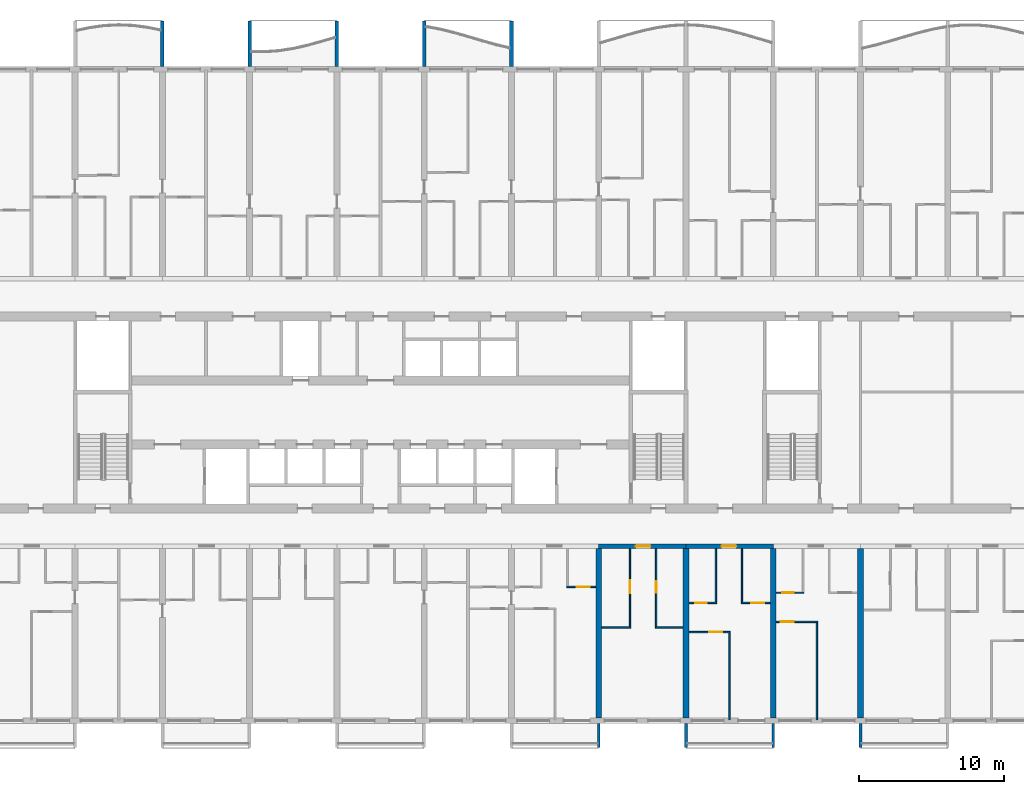
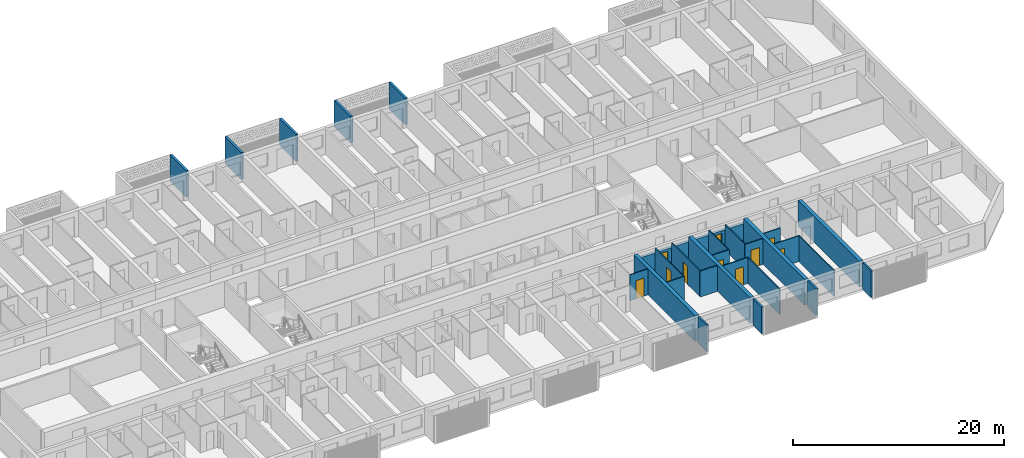
# One storey, part 14 of 38: 29 walls, 10 doors, 10 openings.
"""IFC4 building model written with IfcOpenShell, lengths in metres."""

from ifc_helpers import new_model, si_unit, direction, frame, frame_2d, origin, place, context, subcontext, project, spatial, polyline, rectangle, outline, extrude, source, transform, mapped, material, layer, layer_set, type_object, element, fill, save


model = new_model("IFC4")

# Units and contexts
model_context = context("Model", 3, precision=1e-05, world=origin(), true_north=direction((0.0, 1.0)))
body_context = subcontext(model_context, "Body", "Model", "MODEL_VIEW")
ifc_project = project(units=[si_unit("LENGTHUNIT", "METRE"), si_unit("AREAUNIT", "SQUARE_METRE"), si_unit("VOLUMEUNIT", "CUBIC_METRE"), si_unit("PLANEANGLEUNIT", "RADIAN"), si_unit("MASSUNIT", "GRAM", prefix="KILO")], contexts=[model_context])

# Site, building, storey
site_placement = place(None, origin())
site = spatial("IfcSite", under=ifc_project, at=site_placement, CompositionType="ELEMENT")
building_placement = place(site_placement, origin())
building = spatial("IfcBuilding", under=site, at=building_placement, Name="Poui Terraces", CompositionType="ELEMENT")
storey_placement = place(building_placement, frame((0.0, 0.0, 49.800048828125)))
storey = spatial("IfcBuildingStorey", under=building, at=storey_placement, Name="L13", CompositionType="ELEMENT", Elevation=49.800048828125)

# Wall, opening, door
ifc_material_1 = material(Name="Concrete 80 MPa", Category="concrete")
ifc_layer_1 = layer(ifc_material_1, 0.300048828125)
ifc_layer_set_1 = layer_set([ifc_layer_1], Name="Concrete 80 MPa")
wall_type_1 = type_object("IfcWallType", Name="CORRIDOR WALL 300 80MPa", PredefinedType="SHEAR", material=ifc_layer_set_1)
wall_1_placement = place(storey_placement, frame((66.0, 12.0, 0.0), z_axis=(0.0, 0.0, 1.0), x_axis=(1.0, 0.0, 0.0)))
wall_1 = element("IfcWall", 1, at=wall_1_placement, inside=storey, type_object=wall_type_1, Name="CORRIDOR WALL LINE B BAY 12", PredefinedType="SHEAR", context=body_context, shape_type="SweptSolid", body=[
    extrude(rectangle(XDim=6.0, YDim=0.300048828125, at=frame_2d((3.0, 0.0))), origin(), (0.0, 0.0, 1.0), 2.39990234375),
])
opening_1_placement = place(wall_1_placement, frame((2.550048828125, 0.0, 0.0)))
opening_1 = element("IfcOpeningElement", 2, at=opening_1_placement, cuts=wall_1, Name="Opening FD30S", PredefinedType="OPENING", context=body_context, shape_type="SweptSolid", body=[
    extrude(rectangle(XDim=1.0, YDim=2.10009765625, at=frame_2d((0.5, 1.050048828125))), frame((0.0, 0.16015625, 0.0), z_axis=(0.0, -1.0, 0.0), x_axis=(1.0, 0.0, 0.0)), (0.0, 0.0, 1.0), 0.320068359375),
])
ifc_material_2 = material(Name="Steel fire door", Category="steel")
door_type_1 = type_object("IfcDoorType", Name="FLAT ENTRANCE DOOR 1000 X 2100", OperationType="NOTDEFINED", PredefinedType="DOOR", material=ifc_material_2)
door_1_placement = place(opening_1_placement, frame((1.0, 0.0, 0.0), z_axis=(0.0, 0.0, 1.0), x_axis=(-1.0, 0.0, 0.0)))
door_1 = element("IfcDoor", 3, at=door_1_placement, inside=storey, type_object=door_type_1, Name="FLAT ENTRANCE DOOR 130", OperationType="SINGLE_SWING_LEFT", OverallHeight=2.10009765625, OverallWidth=1.0, PredefinedType="DOOR", context=body_context, shape_type="SweptSolid", body=[
    extrude(rectangle(XDim=1.0, YDim=2.10009765625, at=frame_2d((0.5, 1.050048828125))), frame((0.0, 0.02490234375, 0.0), z_axis=(0.0, -1.0, 0.0), x_axis=(1.0, 0.0, 0.0)), (0.0, 0.0, 1.0), 0.050048828125),
])
fill(opening_1, door_1)

wall_2_placement = place(storey_placement, frame((72.0, 12.0, 0.0), z_axis=(0.0, 0.0, 1.0), x_axis=(1.0, 0.0, 0.0)))
wall_2 = element("IfcWall", 4, at=wall_2_placement, inside=storey, type_object=wall_type_1, Name="CORRIDOR WALL LINE B BAY 13", PredefinedType="SHEAR", context=body_context, shape_type="SweptSolid", body=[
    extrude(rectangle(XDim=6.0, YDim=0.300048828125, at=frame_2d((3.0, 0.0))), origin(), (0.0, 0.0, 1.0), 2.39990234375),
])
opening_2_placement = place(wall_2_placement, frame((2.449951171875, 0.0, 0.0)))
opening_2 = element("IfcOpeningElement", 5, at=opening_2_placement, cuts=wall_2, Name="Opening FD30S", PredefinedType="OPENING", context=body_context, shape_type="SweptSolid", body=[
    extrude(rectangle(XDim=1.0, YDim=2.10009765625, at=frame_2d((0.5, 1.050048828125))), frame((0.0, 0.16015625, 0.0), z_axis=(0.0, -1.0, 0.0), x_axis=(1.0, 0.0, 0.0)), (0.0, 0.0, 1.0), 0.320068359375),
])
door_2_placement = place(opening_2_placement, frame((1.0, 0.0, 0.0), z_axis=(0.0, 0.0, 1.0), x_axis=(-1.0, 0.0, 0.0)))
door_2 = element("IfcDoor", 6, at=door_2_placement, inside=storey, type_object=door_type_1, Name="FLAT ENTRANCE DOOR 134", OperationType="SINGLE_SWING_RIGHT", OverallHeight=2.10009765625, OverallWidth=1.0, PredefinedType="DOOR", context=body_context, shape_type="SweptSolid", body=[
    extrude(rectangle(XDim=1.0, YDim=2.10009765625, at=frame_2d((0.5, 1.050048828125))), frame((0.0, 0.02490234375, 0.0), z_axis=(0.0, -1.0, 0.0), x_axis=(1.0, 0.0, 0.0)), (0.0, 0.0, 1.0), 0.050048828125),
])
fill(opening_2, door_2)

# Walls
ifc_layer_2 = layer(ifc_material_1, 0.39990234375)
ifc_layer_set_2 = layer_set([ifc_layer_2], Name="Concrete 80 MPa")
wall_type_2 = type_object("IfcWallType", Name="CROSS WALL 400 80MPa", PredefinedType="SHEAR", material=ifc_layer_set_2)
for number, where, z_axis, x_axis, name in (
    (7, (66.0, 0.199951171875, 0.0), (0.0, 0.0, 1.0), (0.0, 1.0, 0.0), "CROSS WALL LINE 12 SOUTH"),
    (8, (72.0, 0.199951171875, 0.0), (0.0, 0.0, 1.0), (0.0, 1.0, 0.0), "CROSS WALL LINE 13 SOUTH"),
    (9, (78.0, 0.199951171875, 0.0), (0.0, 0.0, 1.0), (0.0, 1.0, 0.0), "CROSS WALL LINE 14 SOUTH"),
    (10, (84.0, 0.199951171875, 0.0), (0.0, 0.0, 1.0), (0.0, 1.0, 0.0), "CROSS WALL LINE 15 SOUTH"),
):
    element("IfcWall", number, at=place(storey_placement, frame(where, z_axis=z_axis, x_axis=x_axis)), inside=storey, type_object=wall_type_2, Name=name, PredefinedType="SHEAR", context=body_context, shape_type="SweptSolid", body=[
        extrude(rectangle(XDim=11.650146484375, YDim=0.39990234375, at=frame_2d((5.8251953125, 0.0))), origin(), (0.0, 0.0, 1.0), 3.0),
    ])

# Wall, opening, door
ifc_material_3 = material(Name="Plasterboard partition")
ifc_layer_3 = layer(ifc_material_3, 0.10009765625)
ifc_layer_set_3 = layer_set([ifc_layer_3], Name="Plasterboard partition")
wall_type_3 = type_object("IfcWallType", Name="FLAT PARTITION 100", PredefinedType="PARTITIONING", material=ifc_layer_set_3)
wall_3_placement = place(storey_placement, frame((72.2099609375, 6.10009765625, 0.0), z_axis=(0.0, 0.0, 1.0), x_axis=(1.0, 0.0, 0.0)))
wall_3 = element("IfcWall", 11, at=wall_3_placement, inside=storey, type_object=wall_type_3, Name="FLAT PARTITION 100", PredefinedType="PARTITIONING", context=body_context, shape_type="SweptSolid", body=[
    extrude(rectangle(XDim=2.840087890625, YDim=0.10009765625, at=frame_2d((1.419921875, 0.0))), origin(), (0.0, 0.0, 1.0), 3.0),
])
opening_3_placement = place(wall_3_placement, frame((1.389892578125, 0.0, 0.0)))
opening_3 = element("IfcOpeningElement", 12, at=opening_3_placement, cuts=wall_3, Name="Opening D90", PredefinedType="OPENING", context=body_context, shape_type="SweptSolid", body=[
    extrude(rectangle(XDim=0.89990234375, YDim=2.10009765625, at=frame_2d((0.449951171875, 1.050048828125))), frame((0.0, 0.06005859375, 0.0), z_axis=(0.0, -1.0, 0.0), x_axis=(1.0, 0.0, 0.0)), (0.0, 0.0, 1.0), 0.1201171875),
])
ifc_material_4 = material(Name="Solid core timber door", Category="wood")
door_type_2 = type_object("IfcDoorType", Name="INTERNAL DOOR 900 X 2100", OperationType="NOTDEFINED", PredefinedType="DOOR", material=ifc_material_4)
door_3_placement = place(opening_3_placement, origin())
door_3 = element("IfcDoor", 13, at=door_3_placement, inside=storey, type_object=door_type_2, Name="INTERNAL DOOR 133", OperationType="SINGLE_SWING_LEFT", OverallHeight=2.10009765625, OverallWidth=0.89990234375, PredefinedType="DOOR", context=body_context, shape_type="SweptSolid", body=[
    extrude(rectangle(XDim=0.89990234375, YDim=2.10009765625, at=frame_2d((0.449951171875, 1.050048828125))), frame((0.0, 0.02490234375, 0.0), z_axis=(0.0, -1.0, 0.0), x_axis=(1.0, 0.0, 0.0)), (0.0, 0.0, 1.0), 0.050048828125),
])
fill(opening_3, door_3)

# Walls
wall_4_placement = place(storey_placement, frame((66.2099609375, 6.39990234375, 0.0), z_axis=(0.0, 0.0, 1.0), x_axis=(1.0, 0.0, 0.0)))
element("IfcWall", 14, at=wall_4_placement, inside=storey, type_object=wall_type_3, Name="FLAT PARTITION 100", PredefinedType="PARTITIONING", context=body_context, shape_type="SweptSolid", body=[
    extrude(rectangle(XDim=1.989990234375, YDim=0.10009765625, at=frame_2d((0.9951171875, 0.0))), origin(), (0.0, 0.0, 1.0), 3.0),
])
wall_5_placement = place(storey_placement, frame((69.89990234375, 6.39990234375, 0.0), z_axis=(0.0, 0.0, 1.0), x_axis=(1.0, 0.0, 0.0)))
element("IfcWall", 15, at=wall_5_placement, inside=storey, type_object=wall_type_3, Name="FLAT PARTITION 100", PredefinedType="PARTITIONING", context=body_context, shape_type="SweptSolid", body=[
    extrude(rectangle(XDim=1.89013671875, YDim=0.10009765625, at=frame_2d((0.945068359375, 0.0))), origin(), (0.0, 0.0, 1.0), 3.0),
])

# Wall, opening, door
wall_6_placement = place(storey_placement, frame((78.2099609375, 6.800048828125, 0.0), z_axis=(0.0, 0.0, 1.0), x_axis=(1.0, 0.0, 0.0)))
wall_6 = element("IfcWall", 16, at=wall_6_placement, inside=storey, type_object=wall_type_3, Name="FLAT PARTITION 100", PredefinedType="PARTITIONING", context=body_context, shape_type="SweptSolid", body=[
    extrude(rectangle(XDim=2.840087890625, YDim=0.10009765625, at=frame_2d((1.419921875, 0.0))), origin(), (0.0, 0.0, 1.0), 3.0),
])
opening_4_placement = place(wall_6_placement, frame((0.2900390625, 0.0, 0.0)))
opening_4 = element("IfcOpeningElement", 17, at=opening_4_placement, cuts=wall_6, Name="Opening D90", PredefinedType="OPENING", context=body_context, shape_type="SweptSolid", body=[
    extrude(rectangle(XDim=0.89990234375, YDim=2.10009765625, at=frame_2d((0.449951171875, 1.050048828125))), frame((0.0, 0.06005859375, 0.0), z_axis=(0.0, -1.0, 0.0), x_axis=(1.0, 0.0, 0.0)), (0.0, 0.0, 1.0), 0.1201171875),
])
door_4_placement = place(opening_4_placement, origin())
door_4 = element("IfcDoor", 18, at=door_4_placement, inside=storey, type_object=door_type_2, Name="INTERNAL DOOR 136", OperationType="SINGLE_SWING_RIGHT", OverallHeight=2.10009765625, OverallWidth=0.89990234375, PredefinedType="DOOR", context=body_context, shape_type="SweptSolid", body=[
    extrude(rectangle(XDim=0.89990234375, YDim=2.10009765625, at=frame_2d((0.449951171875, 1.050048828125))), frame((0.0, 0.02490234375, 0.0), z_axis=(0.0, -1.0, 0.0), x_axis=(1.0, 0.0, 0.0)), (0.0, 0.0, 1.0), 0.050048828125),
])
fill(opening_4, door_4)

wall_7_placement = place(storey_placement, frame((72.2099609375, 8.10009765625, 0.0), z_axis=(0.0, 0.0, 1.0), x_axis=(1.0, 0.0, 0.0)))
wall_7 = element("IfcWall", 19, at=wall_7_placement, inside=storey, type_object=wall_type_3, Name="FLAT PARTITION 100", PredefinedType="PARTITIONING", context=body_context, shape_type="SweptSolid", body=[
    extrude(rectangle(XDim=1.89013671875, YDim=0.10009765625, at=frame_2d((0.945068359375, 0.0))), origin(), (0.0, 0.0, 1.0), 3.0),
])
opening_5_placement = place(wall_7_placement, frame((0.4150390625, 0.0, 0.0)))
opening_5 = element("IfcOpeningElement", 20, at=opening_5_placement, cuts=wall_7, Name="Opening D80", PredefinedType="OPENING", context=body_context, shape_type="SweptSolid", body=[
    extrude(rectangle(XDim=0.800048828125, YDim=2.10009765625, at=frame_2d((0.39990234375, 1.050048828125))), frame((0.0, 0.06005859375, 0.0), z_axis=(0.0, -1.0, 0.0), x_axis=(1.0, 0.0, 0.0)), (0.0, 0.0, 1.0), 0.1201171875),
])
door_type_3 = type_object("IfcDoorType", Name="BATHROOM, LAUNDRY AND STORE DOOR 800 X 2100", OperationType="NOTDEFINED", PredefinedType="DOOR", material=ifc_material_4)
door_5_placement = place(opening_5_placement, origin())
door_5 = element("IfcDoor", 21, at=door_5_placement, inside=storey, type_object=door_type_3, Name="BATHROOM, LAUNDRY AND STORE DOOR 132", OperationType="SINGLE_SWING_RIGHT", OverallHeight=2.10009765625, OverallWidth=0.800048828125, PredefinedType="DOOR", context=body_context, shape_type="SweptSolid", body=[
    extrude(rectangle(XDim=0.800048828125, YDim=2.10009765625, at=frame_2d((0.39990234375, 1.050048828125))), frame((0.0, 0.02490234375, 0.0), z_axis=(0.0, -1.0, 0.0), x_axis=(1.0, 0.0, 0.0)), (0.0, 0.0, 1.0), 0.050048828125),
])
fill(opening_5, door_5)

wall_8_placement = place(storey_placement, frame((75.800048828125, 8.10009765625, 0.0), z_axis=(0.0, 0.0, 1.0), x_axis=(1.0, 0.0, 0.0)))
wall_8 = element("IfcWall", 22, at=wall_8_placement, inside=storey, type_object=wall_type_3, Name="FLAT PARTITION 100", PredefinedType="PARTITIONING", context=body_context, shape_type="SweptSolid", body=[
    extrude(rectangle(XDim=1.989990234375, YDim=0.10009765625, at=frame_2d((0.9951171875, 0.0))), origin(), (0.0, 0.0, 1.0), 3.0),
])
opening_6_placement = place(wall_8_placement, frame((0.675048828125, 0.0, 0.0)))
opening_6 = element("IfcOpeningElement", 23, at=opening_6_placement, cuts=wall_8, Name="Opening D90", PredefinedType="OPENING", context=body_context, shape_type="SweptSolid", body=[
    extrude(rectangle(XDim=0.89990234375, YDim=2.10009765625, at=frame_2d((0.449951171875, 1.050048828125))), frame((0.0, 0.06005859375, 0.0), z_axis=(0.0, -1.0, 0.0), x_axis=(1.0, 0.0, 0.0)), (0.0, 0.0, 1.0), 0.1201171875),
])
door_6_placement = place(opening_6_placement, origin())
door_6 = element("IfcDoor", 24, at=door_6_placement, inside=storey, type_object=door_type_2, Name="INTERNAL DOOR 135", OperationType="SINGLE_SWING_LEFT", OverallHeight=2.10009765625, OverallWidth=0.89990234375, PredefinedType="DOOR", context=body_context, shape_type="SweptSolid", body=[
    extrude(rectangle(XDim=0.89990234375, YDim=2.10009765625, at=frame_2d((0.449951171875, 1.050048828125))), frame((0.0, 0.02490234375, 0.0), z_axis=(0.0, -1.0, 0.0), x_axis=(1.0, 0.0, 0.0)), (0.0, 0.0, 1.0), 0.050048828125),
])
fill(opening_6, door_6)

wall_9_placement = place(storey_placement, frame((78.2099609375, 8.800048828125, 0.0), z_axis=(0.0, 0.0, 1.0), x_axis=(1.0, 0.0, 0.0)))
wall_9 = element("IfcWall", 25, at=wall_9_placement, inside=storey, type_object=wall_type_3, Name="FLAT PARTITION 100", PredefinedType="PARTITIONING", context=body_context, shape_type="SweptSolid", body=[
    extrude(rectangle(XDim=1.89013671875, YDim=0.10009765625, at=frame_2d((0.945068359375, 0.0))), origin(), (0.0, 0.0, 1.0), 3.0),
])
opening_7_placement = place(wall_9_placement, frame((0.4150390625, 0.0, 0.0)))
opening_7 = element("IfcOpeningElement", 26, at=opening_7_placement, cuts=wall_9, Name="Opening D80", PredefinedType="OPENING", context=body_context, shape_type="SweptSolid", body=[
    extrude(rectangle(XDim=0.800048828125, YDim=2.10009765625, at=frame_2d((0.39990234375, 1.050048828125))), frame((0.0, 0.06005859375, 0.0), z_axis=(0.0, -1.0, 0.0), x_axis=(1.0, 0.0, 0.0)), (0.0, 0.0, 1.0), 0.1201171875),
])
door_7_placement = place(opening_7_placement, origin())
door_7 = element("IfcDoor", 27, at=door_7_placement, inside=storey, type_object=door_type_3, Name="BATHROOM, LAUNDRY AND STORE DOOR 137", OperationType="SINGLE_SWING_LEFT", OverallHeight=2.10009765625, OverallWidth=0.800048828125, PredefinedType="DOOR", context=body_context, shape_type="SweptSolid", body=[
    extrude(rectangle(XDim=0.800048828125, YDim=2.10009765625, at=frame_2d((0.39990234375, 1.050048828125))), frame((0.0, 0.02490234375, 0.0), z_axis=(0.0, -1.0, 0.0), x_axis=(1.0, 0.0, 0.0)), (0.0, 0.0, 1.0), 0.050048828125),
])
fill(opening_7, door_7)

wall_10_placement = place(storey_placement, frame((63.800048828125, 9.199951171875, 0.0), z_axis=(0.0, 0.0, 1.0), x_axis=(1.0, 0.0, 0.0)))
wall_10 = element("IfcWall", 28, at=wall_10_placement, inside=storey, type_object=wall_type_3, Name="FLAT PARTITION 100", PredefinedType="PARTITIONING", context=body_context, shape_type="SweptSolid", body=[
    extrude(rectangle(XDim=1.989990234375, YDim=0.10009765625, at=frame_2d((0.9951171875, 0.0))), origin(), (0.0, 0.0, 1.0), 3.0),
])
opening_8_placement = place(wall_10_placement, frame((0.675048828125, 0.0, 0.0)))
opening_8 = element("IfcOpeningElement", 29, at=opening_8_placement, cuts=wall_10, Name="Opening D90", PredefinedType="OPENING", context=body_context, shape_type="SweptSolid", body=[
    extrude(rectangle(XDim=0.89990234375, YDim=2.10009765625, at=frame_2d((0.449951171875, 1.050048828125))), frame((0.0, 0.06005859375, 0.0), z_axis=(0.0, -1.0, 0.0), x_axis=(1.0, 0.0, 0.0)), (0.0, 0.0, 1.0), 0.1201171875),
])
door_8_placement = place(opening_8_placement, origin())
door_8 = element("IfcDoor", 30, at=door_8_placement, inside=storey, type_object=door_type_2, Name="INTERNAL DOOR 128", OperationType="SINGLE_SWING_LEFT", OverallHeight=2.10009765625, OverallWidth=0.89990234375, PredefinedType="DOOR", context=body_context, shape_type="SweptSolid", body=[
    extrude(rectangle(XDim=0.89990234375, YDim=2.10009765625, at=frame_2d((0.449951171875, 1.050048828125))), frame((0.0, 0.02490234375, 0.0), z_axis=(0.0, -1.0, 0.0), x_axis=(1.0, 0.0, 0.0)), (0.0, 0.0, 1.0), 0.050048828125),
])
fill(opening_8, door_8)

wall_11_placement = place(storey_placement, frame((68.14990234375, 6.449951171875, 0.0), z_axis=(0.0, 0.0, 1.0), x_axis=(0.0, 1.0, 0.0)))
wall_11 = element("IfcWall", 31, at=wall_11_placement, inside=storey, type_object=wall_type_3, Name="FLAT PARTITION 100", PredefinedType="PARTITIONING", context=body_context, shape_type="SweptSolid", body=[
    extrude(rectangle(XDim=5.39013671875, YDim=0.10009765625, at=frame_2d((2.695068359375, 0.0))), origin(), (0.0, 0.0, 1.0), 3.0),
])
opening_9_placement = place(wall_11_placement, frame((2.300048828125, 0.0, 0.0)))
opening_9 = element("IfcOpeningElement", 32, at=opening_9_placement, cuts=wall_11, Name="Opening D90", PredefinedType="OPENING", context=body_context, shape_type="SweptSolid", body=[
    extrude(rectangle(XDim=0.89990234375, YDim=2.10009765625, at=frame_2d((0.449951171875, 1.050048828125))), frame((0.0, 0.06005859375, 0.0), z_axis=(0.0, -1.0, 0.0), x_axis=(1.0, 0.0, 0.0)), (0.0, 0.0, 1.0), 0.1201171875),
])
door_9_placement = place(opening_9_placement, origin())
door_9 = element("IfcDoor", 33, at=door_9_placement, inside=storey, type_object=door_type_2, Name="INTERNAL DOOR 129", OperationType="SINGLE_SWING_RIGHT", OverallHeight=2.10009765625, OverallWidth=0.89990234375, PredefinedType="DOOR", context=body_context, shape_type="SweptSolid", body=[
    extrude(rectangle(XDim=0.89990234375, YDim=2.10009765625, at=frame_2d((0.449951171875, 1.050048828125))), frame((0.0, 0.02490234375, 0.0), z_axis=(0.0, -1.0, 0.0), x_axis=(1.0, 0.0, 0.0)), (0.0, 0.0, 1.0), 0.050048828125),
])
fill(opening_9, door_9)

wall_12_placement = place(storey_placement, frame((69.949951171875, 6.449951171875, 0.0), z_axis=(0.0, 0.0, 1.0), x_axis=(0.0, 1.0, 0.0)))
wall_12 = element("IfcWall", 34, at=wall_12_placement, inside=storey, type_object=wall_type_3, Name="FLAT PARTITION 100", PredefinedType="PARTITIONING", context=body_context, shape_type="SweptSolid", body=[
    extrude(rectangle(XDim=5.39013671875, YDim=0.10009765625, at=frame_2d((2.695068359375, 0.0))), origin(), (0.0, 0.0, 1.0), 3.0),
])
opening_10_placement = place(wall_12_placement, frame((2.35009765625, 0.0, 0.0)))
opening_10 = element("IfcOpeningElement", 35, at=opening_10_placement, cuts=wall_12, Name="Opening D80", PredefinedType="OPENING", context=body_context, shape_type="SweptSolid", body=[
    extrude(rectangle(XDim=0.800048828125, YDim=2.10009765625, at=frame_2d((0.39990234375, 1.050048828125))), frame((0.0, 0.06005859375, 0.0), z_axis=(0.0, -1.0, 0.0), x_axis=(1.0, 0.0, 0.0)), (0.0, 0.0, 1.0), 0.1201171875),
])
door_10_placement = place(opening_10_placement, frame((0.800048828125, 0.0, 0.0), z_axis=(0.0, 0.0, 1.0), x_axis=(-1.0, 0.0, 0.0)))
door_10 = element("IfcDoor", 36, at=door_10_placement, inside=storey, type_object=door_type_3, Name="BATHROOM, LAUNDRY AND STORE DOOR 131", OperationType="SINGLE_SWING_RIGHT", OverallHeight=2.10009765625, OverallWidth=0.800048828125, PredefinedType="DOOR", context=body_context, shape_type="SweptSolid", body=[
    extrude(rectangle(XDim=0.800048828125, YDim=2.10009765625, at=frame_2d((0.39990234375, 1.050048828125))), frame((0.0, 0.02490234375, 0.0), z_axis=(0.0, -1.0, 0.0), x_axis=(1.0, 0.0, 0.0)), (0.0, 0.0, 1.0), 0.050048828125),
])
fill(opening_10, door_10)

# Walls
wall_13_placement = place(storey_placement, frame((74.050048828125, 8.14990234375, 0.0), z_axis=(0.0, 0.0, 1.0), x_axis=(0.0, 1.0, 0.0)))
element("IfcWall", 37, at=wall_13_placement, inside=storey, type_object=wall_type_3, Name="FLAT PARTITION 100", PredefinedType="PARTITIONING", context=body_context, shape_type="SweptSolid", body=[
    extrude(rectangle(XDim=3.690185546875, YDim=0.10009765625, at=frame_2d((1.84521484375, 0.0))), origin(), (0.0, 0.0, 1.0), 3.0),
])
wall_14_placement = place(storey_placement, frame((75.0, 0.06005859375, 0.0), z_axis=(0.0, 0.0, 1.0), x_axis=(0.0, 1.0, 0.0)))
element("IfcWall", 38, at=wall_14_placement, inside=storey, type_object=wall_type_3, Name="FLAT PARTITION 100", PredefinedType="PARTITIONING", context=body_context, shape_type="SweptSolid", body=[
    extrude(rectangle(XDim=5.989990234375, YDim=0.10009765625, at=frame_2d((2.9951171875, 0.0))), origin(), (0.0, 0.0, 1.0), 3.0),
])
wall_15_placement = place(storey_placement, frame((75.85009765625, 8.14990234375, 0.0), z_axis=(0.0, 0.0, 1.0), x_axis=(0.0, 1.0, 0.0)))
element("IfcWall", 39, at=wall_15_placement, inside=storey, type_object=wall_type_3, Name="FLAT PARTITION 100", PredefinedType="PARTITIONING", context=body_context, shape_type="SweptSolid", body=[
    extrude(rectangle(XDim=3.690185546875, YDim=0.10009765625, at=frame_2d((1.84521484375, 0.0))), origin(), (0.0, 0.0, 1.0), 3.0),
])
wall_16_placement = place(storey_placement, frame((81.0, 0.06005859375, 0.0), z_axis=(0.0, 0.0, 1.0), x_axis=(0.0, 1.0, 0.0)))
element("IfcWall", 40, at=wall_16_placement, inside=storey, type_object=wall_type_3, Name="FLAT PARTITION 100", PredefinedType="PARTITIONING", context=body_context, shape_type="SweptSolid", body=[
    extrude(rectangle(XDim=6.68994140625, YDim=0.10009765625, at=frame_2d((3.344970703125, 0.0))), origin(), (0.0, 0.0, 1.0), 3.0),
])
ifc_material_5 = material(Name="Precast concrete 40 MPa", Category="concrete")
ifc_layer_4 = layer(ifc_material_5, 0.25)
ifc_layer_set_4 = layer_set([ifc_layer_4], Name="Precast concrete 40 MPa")
wall_type_4 = type_object("IfcWallType", Name="BALCONY FIN 250", PredefinedType="STANDARD", material=ifc_layer_set_4)
shared_shape_1 = source(origin(), body_context, "Body", "SweptSolid", [
    extrude(outline(polyline([(0.0, 0.0), (0.25, 0.0), (0.25, 3.10009765625), (0.0, 3.10009765625), (0.0, 0.0)])), origin(), (0.0, 0.0, 1.0), 3.099853515625),
])
for number, where, name in (
    (41, (35.875, 45.0, 0.0), "BALCONY FIN"),
    (42, (41.875, 45.0, 0.0), "BALCONY FIN"),
    (43, (47.875, 45.0, 0.0), "BALCONY FIN"),
    (44, (53.875, 45.0, 0.0), "BALCONY FIN"),
    (45, (59.875, 45.0, 0.0), "BALCONY FIN"),
):
    element("IfcWall", number, at=place(storey_placement, frame(where)), inside=storey, type_object=wall_type_4, Name=name, PredefinedType="STANDARD", context=body_context, shape_type="MappedRepresentation", body=[
        mapped(shared_shape_1, transform((0.0, 0.0, 0.0))),
    ])
ifc_layer_5 = layer(ifc_material_5, 0.199951171875)
ifc_layer_set_5 = layer_set([ifc_layer_5], Name="Precast concrete 40 MPa")
wall_type_5 = type_object("IfcWallType", Name="REAR FIN 200", PredefinedType="STANDARD", material=ifc_layer_set_5)
shared_shape_2 = source(origin(), body_context, "Body", "SweptSolid", [
    extrude(outline(polyline([(0.0, 0.0), (0.2001953125, 0.0), (0.2001953125, 1.650146484375), (0.0, 1.650146484375), (0.0, 0.0)])), origin(), (0.0, 0.0, 1.0), 3.099853515625),
])
for number, where, name in (
    (46, (65.89990234375, -1.85009765625, 0.0), "REAR FIN"),
    (47, (71.89990234375, -1.85009765625, 0.0), "REAR FIN"),
    (48, (77.89990234375, -1.85009765625, 0.0), "REAR FIN"),
    (49, (83.89990234375, -1.85009765625, 0.0), "REAR FIN"),
):
    element("IfcWall", number, at=place(storey_placement, frame(where)), inside=storey, type_object=wall_type_5, Name=name, PredefinedType="STANDARD", context=body_context, shape_type="MappedRepresentation", body=[
        mapped(shared_shape_2, transform((0.0, 0.0, 0.0))),
    ])

save(model, "model.ifc")
